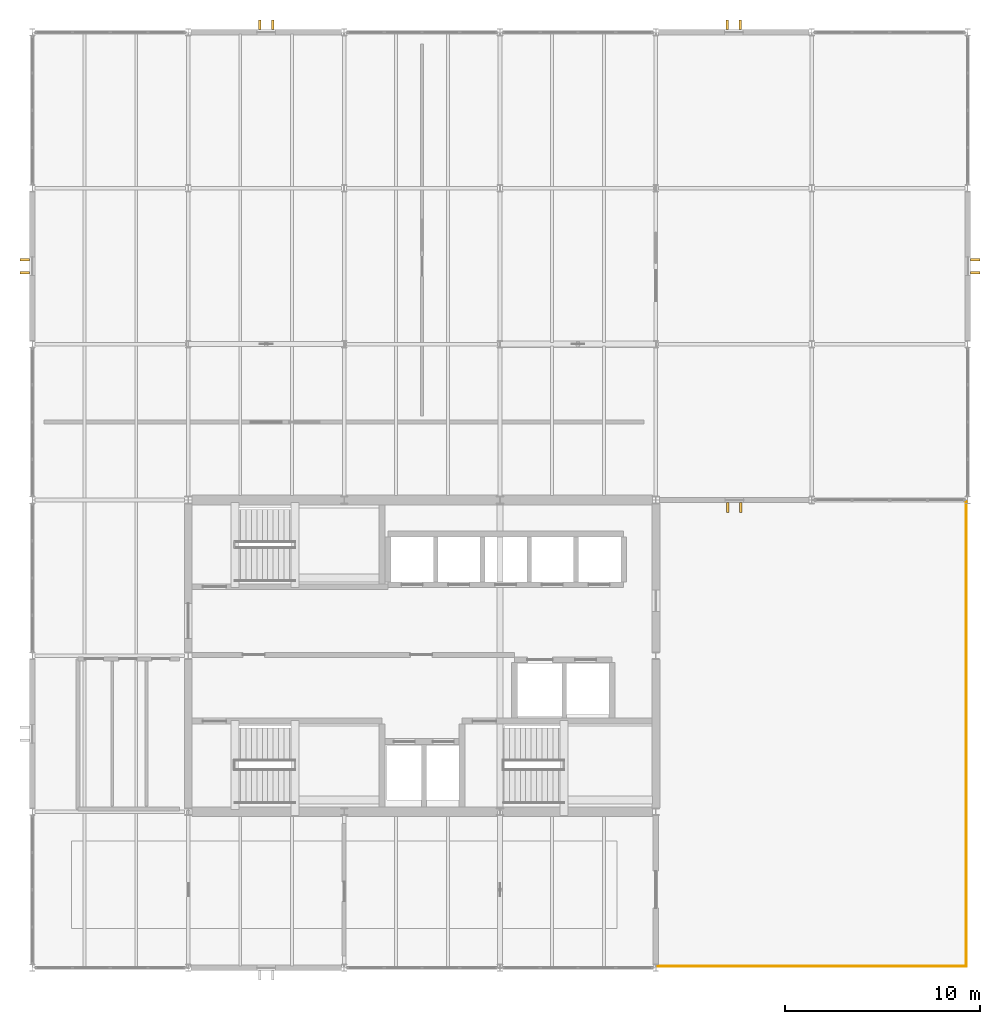
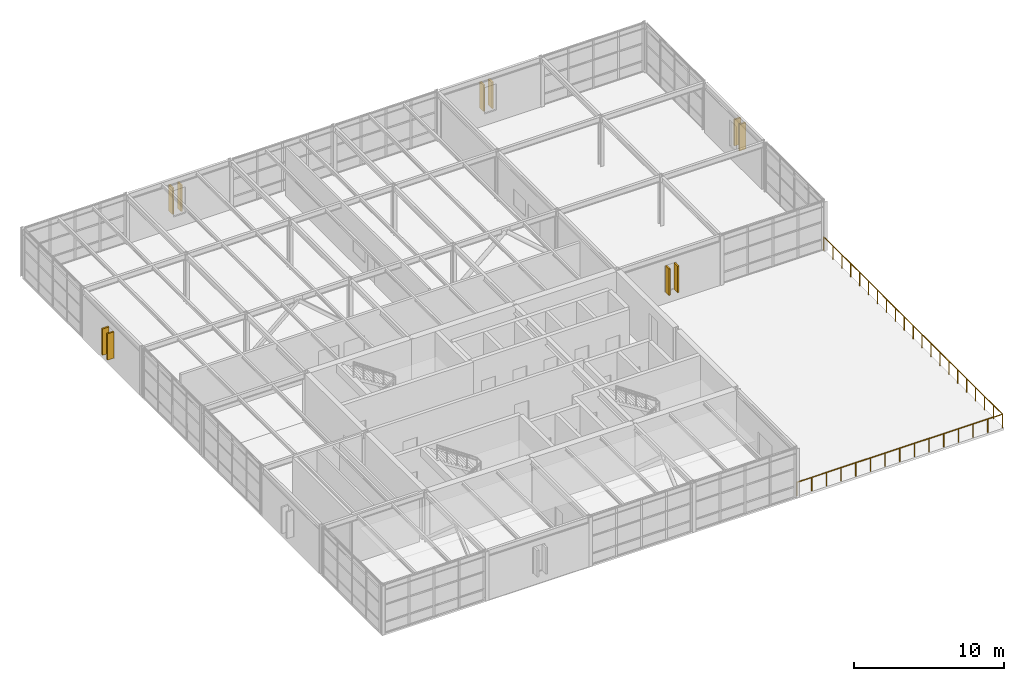
# One storey, part 21 of 21: 10 shading devices, 2 railings.
"""IFC4 building model written with IfcOpenShell, lengths in metres."""

from ifc_helpers import new_model, si_unit, direction, frame, origin, origin_2d, place, context, subcontext, project, spatial, rectangle, circle, extrude, material, type_object, element, save


model = new_model("IFC4")

# Units and contexts
model_context = context("Model", 3, precision=1e-05, world=origin(), true_north=direction((0.0, 1.0)))
body_context = subcontext(model_context, "Body", "Model", "MODEL_VIEW")
ifc_project = project(units=[si_unit("LENGTHUNIT", "METRE"), si_unit("AREAUNIT", "SQUARE_METRE"), si_unit("VOLUMEUNIT", "CUBIC_METRE"), si_unit("PLANEANGLEUNIT", "RADIAN"), si_unit("MASSUNIT", "GRAM", prefix="KILO")], contexts=[model_context])

# Site, building, storey
site_placement = place(None, origin())
site = spatial("IfcSite", under=ifc_project, at=site_placement, CompositionType="ELEMENT")
building_placement = place(site_placement, origin())
building = spatial("IfcBuilding", under=site, at=building_placement, Name="Varnela Railside Interchange", CompositionType="ELEMENT")
storey_placement = place(building_placement, frame((0.0, 0.0, 23.800048828125)))
storey = spatial("IfcBuildingStorey", under=building, at=storey_placement, Name="L05", CompositionType="ELEMENT", Elevation=23.800048828125)

# Shading devices
ifc_material_1 = material(Name="Concrete C40 precast", Category="concrete")
shading_device_type = type_object("IfcShadingDeviceType", Name="Paulista Vertical Brise-Soleil BS-01", PredefinedType="USERDEFINED", material=ifc_material_1)
for number, where, z_axis, x_axis, name in (
    (1, (3.614990234375, 81.66748046875, 0.949951171875), (0.0, 0.0, 1.0), (-1.0, 0.0, 0.0), "Paulista Vertical Brise-Soleil BS-01 (L05)"),
    (2, (3.614990234375, 82.33251953125, 0.949951171875), (0.0, 0.0, 1.0), (-1.0, 0.0, 0.0), "Paulista Vertical Brise-Soleil BS-01 (L05)"),
    (3, (15.66748046875, 94.385009765625, 0.949951171875), (0.0, 0.0, 1.0), (0.0, 1.0, 0.0), "Paulista Vertical Brise-Soleil BS-01 (L05)"),
    (4, (16.33251953125, 94.385009765625, 0.949951171875), (0.0, 0.0, 1.0), (0.0, 1.0, 0.0), "Paulista Vertical Brise-Soleil BS-01 (L05)"),
    (5, (39.66748046875, 94.385009765625, 0.949951171875), (0.0, 0.0, 1.0), (0.0, 1.0, 0.0), "Paulista Vertical Brise-Soleil BS-01 (L05)"),
    (6, (40.33251953125, 94.385009765625, 0.949951171875), (0.0, 0.0, 1.0), (0.0, 1.0, 0.0), "Paulista Vertical Brise-Soleil BS-01 (L05)"),
    (7, (52.385009765625, 82.33251953125, 0.949951171875), (0.0, 0.0, 1.0), (1.0, 0.0, 0.0), "Paulista Vertical Brise-Soleil BS-01 (L05)"),
    (8, (52.385009765625, 81.66748046875, 0.949951171875), (0.0, 0.0, 1.0), (1.0, 0.0, 0.0), "Paulista Vertical Brise-Soleil BS-01 (L05)"),
    (9, (40.36083984375, 69.614990234375, 0.949951171875), (0.0, 0.0, 1.0), (0.0, -1.0, 0.0), "Paulista Vertical Brise-Soleil BS-01 (L05)"),
    (10, (39.69580078125, 69.614990234375, 0.949951171875), (0.0, 0.0, 1.0), (0.0, -1.0, 0.0), "Paulista Vertical Brise-Soleil BS-01 (L05)"),
):
    element("IfcShadingDevice", number, at=place(storey_placement, frame(where, z_axis=z_axis, x_axis=x_axis)), inside=storey, type_object=shading_device_type, Name=name, ObjectType="FIN", PredefinedType="USERDEFINED", context=body_context, shape_type="SweptSolid", body=[
        extrude(rectangle(XDim=0.5, YDim=0.1201171875, at=origin_2d()), origin(), (0.0, 0.0, 1.0), 2.14990234375),
    ])

# Railings
ifc_material_2 = material(Name="Steel AR 350 (350 MPa)", Category="steel")
railing_type = type_object("IfcRailingType", Name="Perimeter Terrace Guardrail GR-01", PredefinedType="GUARDRAIL", material=ifc_material_2)
railing_1_placement = place(storey_placement, frame((36.080078125, 46.080078125, 0.0)))
element("IfcRailing", 11, at=railing_1_placement, inside=storey, type_object=railing_type, Name="Planted Crew Roof Terrace Guardrail (S) (RL-0444)", PredefinedType="GUARDRAIL", context=body_context, shape_type="SweptSolid", body=[
    extrude(circle(Radius=0.02392578125, at=origin_2d()), frame((0.0, 0.0, 1.09619140625), z_axis=(1.0, 0.0, 0.0), x_axis=(0.0, 1.0, 0.0)), (0.0, 0.0, 1.0), 15.83984375),
    extrude(circle(Radius=0.02099609375, at=origin_2d()), origin(), (0.0, 0.0, 1.0), 1.072021484375),
    extrude(circle(Radius=0.02099609375, at=origin_2d()), frame((1.13134765625, 0.0, 0.0)), (0.0, 0.0, 1.0), 1.072021484375),
    extrude(circle(Radius=0.02099609375, at=origin_2d()), frame((2.262939453125, 0.0, 0.0)), (0.0, 0.0, 1.0), 1.072021484375),
    extrude(circle(Radius=0.02099609375, at=origin_2d()), frame((3.394287109375, 0.0, 0.0)), (0.0, 0.0, 1.0), 1.072021484375),
    extrude(circle(Radius=0.02099609375, at=origin_2d()), frame((4.525634765625, 0.0, 0.0)), (0.0, 0.0, 1.0), 1.072021484375),
    extrude(circle(Radius=0.02099609375, at=origin_2d()), frame((5.656982421875, 0.0, 0.0)), (0.0, 0.0, 1.0), 1.072021484375),
    extrude(circle(Radius=0.02099609375, at=origin_2d()), frame((6.78857421875, 0.0, 0.0)), (0.0, 0.0, 1.0), 1.072021484375),
    extrude(circle(Radius=0.02099609375, at=origin_2d()), frame((7.919921875, 0.0, 0.0)), (0.0, 0.0, 1.0), 1.072021484375),
    extrude(circle(Radius=0.02099609375, at=origin_2d()), frame((9.05126953125, 0.0, 0.0)), (0.0, 0.0, 1.0), 1.072021484375),
    extrude(circle(Radius=0.02099609375, at=origin_2d()), frame((10.182861328125, 0.0, 0.0)), (0.0, 0.0, 1.0), 1.072021484375),
    extrude(circle(Radius=0.02099609375, at=origin_2d()), frame((11.314208984375, 0.0, 0.0)), (0.0, 0.0, 1.0), 1.072021484375),
    extrude(circle(Radius=0.02099609375, at=origin_2d()), frame((12.445556640625, 0.0, 0.0)), (0.0, 0.0, 1.0), 1.072021484375),
    extrude(circle(Radius=0.02099609375, at=origin_2d()), frame((13.576904296875, 0.0, 0.0)), (0.0, 0.0, 1.0), 1.072021484375),
    extrude(circle(Radius=0.02099609375, at=origin_2d()), frame((14.70849609375, 0.0, 0.0)), (0.0, 0.0, 1.0), 1.072021484375),
    extrude(circle(Radius=0.02099609375, at=origin_2d()), frame((15.83984375, 0.0, 0.0)), (0.0, 0.0, 1.0), 1.072021484375),
])
railing_2_placement = place(storey_placement, frame((51.919921875, 46.080078125, 0.0)))
element("IfcRailing", 12, at=railing_2_placement, inside=storey, type_object=railing_type, Name="Planted Crew Roof Terrace Guardrail (E) (RL-0443)", PredefinedType="GUARDRAIL", context=body_context, shape_type="SweptSolid", body=[
    extrude(circle(Radius=0.02392578125, at=origin_2d()), frame((0.0, 0.0, 1.09619140625), z_axis=(0.0, 1.0, 0.0), x_axis=(-1.0, 0.0, 0.0)), (0.0, 0.0, 1.0), 23.83984375),
    extrude(circle(Radius=0.02099609375, at=origin_2d()), origin(), (0.0, 0.0, 1.0), 1.072021484375),
    extrude(circle(Radius=0.02099609375, at=origin_2d()), frame((0.0, 1.19189453125, 0.0)), (0.0, 0.0, 1.0), 1.072021484375),
    extrude(circle(Radius=0.02099609375, at=origin_2d()), frame((0.0, 2.384033203125, 0.0)), (0.0, 0.0, 1.0), 1.072021484375),
    extrude(circle(Radius=0.02099609375, at=origin_2d()), frame((0.0, 3.575927734375, 0.0)), (0.0, 0.0, 1.0), 1.072021484375),
    extrude(circle(Radius=0.02099609375, at=origin_2d()), frame((0.0, 4.76806640625, 0.0)), (0.0, 0.0, 1.0), 1.072021484375),
    extrude(circle(Radius=0.02099609375, at=origin_2d()), frame((0.0, 5.9599609375, 0.0)), (0.0, 0.0, 1.0), 1.072021484375),
    extrude(circle(Radius=0.02099609375, at=origin_2d()), frame((0.0, 7.15185546875, 0.0)), (0.0, 0.0, 1.0), 1.072021484375),
    extrude(circle(Radius=0.02099609375, at=origin_2d()), frame((0.0, 8.343994140625, 0.0)), (0.0, 0.0, 1.0), 1.072021484375),
    extrude(circle(Radius=0.02099609375, at=origin_2d()), frame((0.0, 9.535888671875, 0.0)), (0.0, 0.0, 1.0), 1.072021484375),
    extrude(circle(Radius=0.02099609375, at=origin_2d()), frame((0.0, 10.72802734375, 0.0)), (0.0, 0.0, 1.0), 1.072021484375),
    extrude(circle(Radius=0.02099609375, at=origin_2d()), frame((0.0, 11.919921875, 0.0)), (0.0, 0.0, 1.0), 1.072021484375),
    extrude(circle(Radius=0.02099609375, at=origin_2d()), frame((0.0, 13.11181640625, 0.0)), (0.0, 0.0, 1.0), 1.072021484375),
    extrude(circle(Radius=0.02099609375, at=origin_2d()), frame((0.0, 14.303955078125, 0.0)), (0.0, 0.0, 1.0), 1.072021484375),
    extrude(circle(Radius=0.02099609375, at=origin_2d()), frame((0.0, 15.495849609375, 0.0)), (0.0, 0.0, 1.0), 1.072021484375),
    extrude(circle(Radius=0.02099609375, at=origin_2d()), frame((0.0, 16.68798828125, 0.0)), (0.0, 0.0, 1.0), 1.072021484375),
    extrude(circle(Radius=0.02099609375, at=origin_2d()), frame((0.0, 17.8798828125, 0.0)), (0.0, 0.0, 1.0), 1.072021484375),
    extrude(circle(Radius=0.02099609375, at=origin_2d()), frame((0.0, 19.07177734375, 0.0)), (0.0, 0.0, 1.0), 1.072021484375),
    extrude(circle(Radius=0.02099609375, at=origin_2d()), frame((0.0, 20.263916015625, 0.0)), (0.0, 0.0, 1.0), 1.072021484375),
    extrude(circle(Radius=0.02099609375, at=origin_2d()), frame((0.0, 21.455810546875, 0.0)), (0.0, 0.0, 1.0), 1.072021484375),
    extrude(circle(Radius=0.02099609375, at=origin_2d()), frame((0.0, 22.64794921875, 0.0)), (0.0, 0.0, 1.0), 1.072021484375),
    extrude(circle(Radius=0.02099609375, at=origin_2d()), frame((0.0, 23.83984375, 0.0)), (0.0, 0.0, 1.0), 1.072021484375),
])

save(model, "model.ifc")
